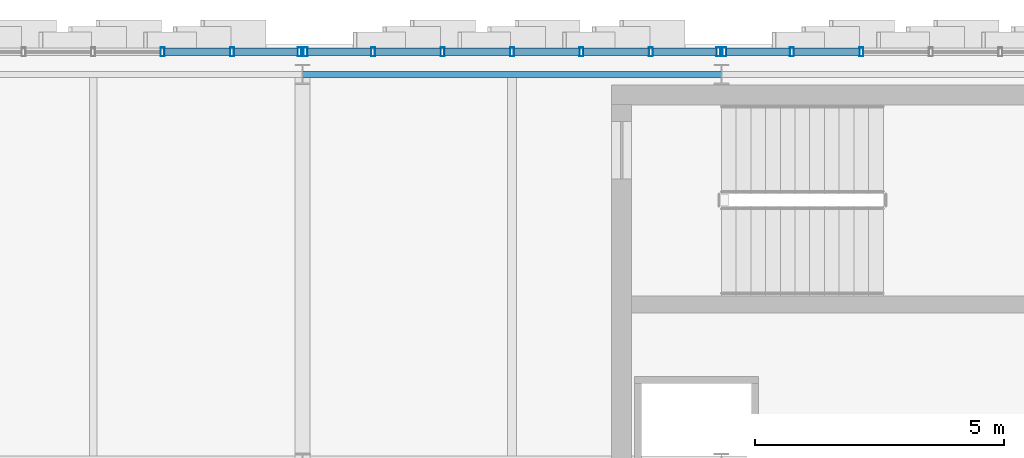
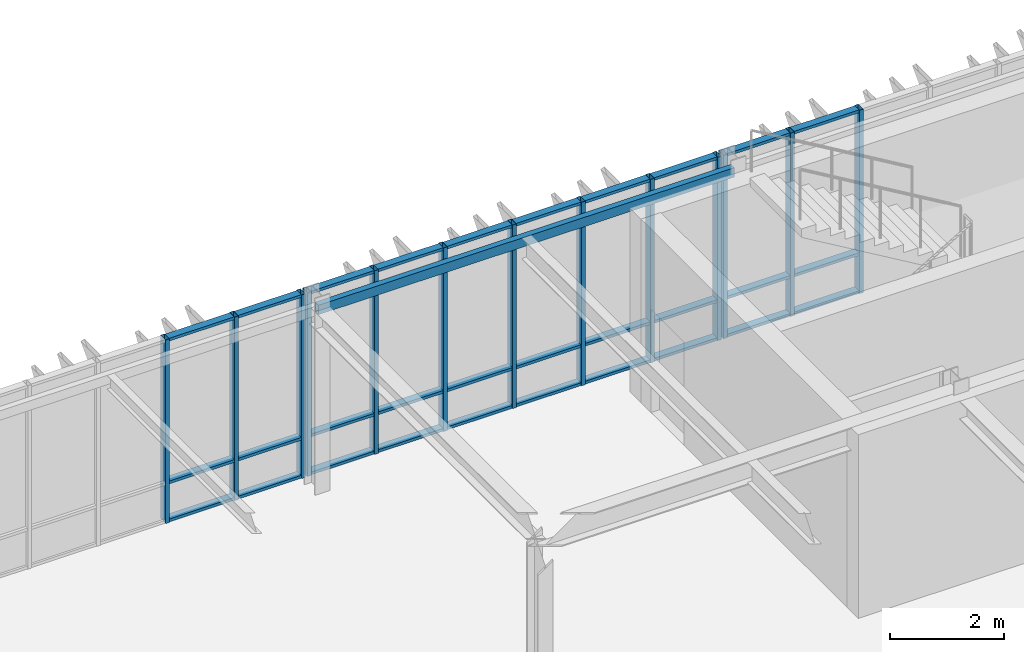
# One storey, part 68 of 127: 43 members, 1 beam, 3 elements without a shape of their own.
"""IFC4 building model written with IfcOpenShell, lengths in metres."""

from ifc_helpers import new_model, si_unit, direction, frame, origin, origin_2d, place, context, subcontext, project, spatial, hollow_rectangle, extrude, material, layer, layer_set, material_profile, profile_set, type_object, element, aggregate, save


model = new_model("IFC4")

# Units and contexts
model_context = context("Model", 3, precision=1e-05, world=origin(), true_north=direction((0.0, 1.0)))
body_context = subcontext(model_context, "Body", "Model", "MODEL_VIEW")
ifc_project = project(units=[si_unit("LENGTHUNIT", "METRE"), si_unit("AREAUNIT", "SQUARE_METRE"), si_unit("VOLUMEUNIT", "CUBIC_METRE"), si_unit("PLANEANGLEUNIT", "RADIAN"), si_unit("MASSUNIT", "GRAM", prefix="KILO")], contexts=[model_context])

# Site, building, storey
site_placement = place(None, origin())
site = spatial("IfcSite", under=ifc_project, at=site_placement, CompositionType="ELEMENT")
building_placement = place(site_placement, origin())
building = spatial("IfcBuilding", under=site, at=building_placement, Name="Zayran Congress Hotel", CompositionType="ELEMENT")
storey_placement = place(building_placement, frame((0.0, 0.0, 10.800048828125)))
storey = spatial("IfcBuildingStorey", under=building, at=storey_placement, Name="L02", CompositionType="ELEMENT", Elevation=10.800048828125)

# Beam
ifc_material_1 = material(Name="Steel S355", Category="steel")
ifc_material_profile_1 = material_profile(ifc_material_1, hollow_rectangle(XDim=0.1201171875, YDim=0.199951171875, WallThickness=0.008056640625, at=origin_2d()), Name="RHS 200x120x8")
ifc_profile_set_1 = profile_set([ifc_material_profile_1], Name="Steel S355")
beam_type = type_object("IfcBeamType", Name="TP-SP-02", PredefinedType="SPANDREL", material=ifc_profile_set_1)
beam_placement = place(storey_placement, frame((75.60009765625, 117.39990234375, 3.820068359375), z_axis=(1.0, 0.0, 0.0), x_axis=(0.0, 1.0, 0.0)))
element("IfcBeam", 1, at=beam_placement, inside=storey, type_object=beam_type, Name="BM-V1-L02-0708", PredefinedType="SPANDREL", context=body_context, shape_type="SweptSolid", body=[
    extrude(hollow_rectangle(XDim=0.1201171875, YDim=0.199951171875, WallThickness=0.008056640625, at=origin_2d()), origin(), (0.0, 0.0, 1.0), 8.39990234375),
])

# Curtain wall, members
ifc_material_2 = material(Name="Anodised aluminium and low-E insulated glass", Category="aluminium")
ifc_layer_1 = layer(ifc_material_2, 0.179931640625)
ifc_layer_set_1 = layer_set([ifc_layer_1], Name="Anodised aluminium and low-E insulated glass")
curtain_wall_type_1 = type_object("IfcCurtainWallType", Name="CW-V1N-L02-CW-22-8360-3920", PredefinedType="USERDEFINED", material=ifc_layer_set_1)
curtain_wall_1_placement = place(storey_placement, origin())
curtain_wall_1 = element("IfcCurtainWall", 2, at=curtain_wall_1_placement, inside=storey, type_object=curtain_wall_type_1, Name="CW-V1N-L02-7", ObjectType="CURTAIN WALL", PredefinedType="USERDEFINED")
ifc_material_3 = material(Name="Anodised aluminium framing", Category="aluminium")
ifc_material_profile_2 = material_profile(ifc_material_3, hollow_rectangle(XDim=0.080078125, YDim=0.179931640625, WallThickness=0.0048828125, at=origin_2d()), Name="RHS 180x80x5")
ifc_profile_set_2 = profile_set([ifc_material_profile_2], Name="Anodised aluminium framing")
member_type_1 = type_object("IfcMemberType", Name="TP-CWM-01", PredefinedType="MULLION", material=ifc_profile_set_2)
member_1_placement = place(storey_placement, frame((75.5400390625, 117.85009765625, 0.0), z_axis=(0.0, 0.0, 1.0), x_axis=(1.0, 0.0, 0.0)))
member_1 = element("IfcMember", 3, at=member_1_placement, type_object=member_type_1, Name="CW-V1N-L02-7-M00", PredefinedType="MULLION", context=body_context, shape_type="SweptSolid", body=[
    extrude(hollow_rectangle(XDim=0.080078125, YDim=0.179931640625, WallThickness=0.0048828125, at=origin_2d()), origin(), (0.0, 0.0, 1.0), 3.919921875),
])
member_2_placement = place(storey_placement, frame((74.186767578125, 117.85009765625, 0.0), z_axis=(0.0, 0.0, 1.0), x_axis=(1.0, 0.0, 0.0)))
member_2 = element("IfcMember", 4, at=member_2_placement, type_object=member_type_1, Name="CW-V1N-L02-7-M01", PredefinedType="MULLION", context=body_context, shape_type="SweptSolid", body=[
    extrude(hollow_rectangle(XDim=0.080078125, YDim=0.179931640625, WallThickness=0.0048828125, at=origin_2d()), origin(), (0.0, 0.0, 1.0), 3.919921875),
])
member_3_placement = place(storey_placement, frame((72.793212890625, 117.85009765625, 0.0), z_axis=(0.0, 0.0, 1.0), x_axis=(1.0, 0.0, 0.0)))
member_3 = element("IfcMember", 5, at=member_3_placement, type_object=member_type_1, Name="CW-V1N-L02-7-M02", PredefinedType="MULLION", context=body_context, shape_type="SweptSolid", body=[
    extrude(hollow_rectangle(XDim=0.080078125, YDim=0.179931640625, WallThickness=0.0048828125, at=origin_2d()), origin(), (0.0, 0.0, 1.0), 3.919921875),
])

ifc_layer_2 = layer(ifc_material_2, 0.179931640625)
ifc_layer_set_2 = layer_set([ifc_layer_2], Name="Anodised aluminium and low-E insulated glass")
curtain_wall_type_2 = type_object("IfcCurtainWallType", Name="CW-V1N-L02-CW-23-8360-3920", PredefinedType="USERDEFINED", material=ifc_layer_set_2)
curtain_wall_2_placement = place(storey_placement, origin())
curtain_wall_2 = element("IfcCurtainWall", 6, at=curtain_wall_2_placement, inside=storey, type_object=curtain_wall_type_2, Name="CW-V1N-L02-8", ObjectType="CURTAIN WALL", PredefinedType="USERDEFINED")
member_4_placement = place(storey_placement, frame((83.93994140625, 117.85009765625, 0.0), z_axis=(0.0, 0.0, 1.0), x_axis=(1.0, 0.0, 0.0)))
member_4 = element("IfcMember", 7, at=member_4_placement, type_object=member_type_1, Name="CW-V1N-L02-8-M00", PredefinedType="MULLION", context=body_context, shape_type="SweptSolid", body=[
    extrude(hollow_rectangle(XDim=0.080078125, YDim=0.179931640625, WallThickness=0.0048828125, at=origin_2d()), origin(), (0.0, 0.0, 1.0), 3.919921875),
])
member_5_placement = place(storey_placement, frame((82.586669921875, 117.85009765625, 0.0), z_axis=(0.0, 0.0, 1.0), x_axis=(1.0, 0.0, 0.0)))
member_5 = element("IfcMember", 8, at=member_5_placement, type_object=member_type_1, Name="CW-V1N-L02-8-M01", PredefinedType="MULLION", context=body_context, shape_type="SweptSolid", body=[
    extrude(hollow_rectangle(XDim=0.080078125, YDim=0.179931640625, WallThickness=0.0048828125, at=origin_2d()), origin(), (0.0, 0.0, 1.0), 3.919921875),
])
member_6_placement = place(storey_placement, frame((81.193359375, 117.85009765625, 0.0), z_axis=(0.0, 0.0, 1.0), x_axis=(1.0, 0.0, 0.0)))
member_6 = element("IfcMember", 9, at=member_6_placement, type_object=member_type_1, Name="CW-V1N-L02-8-M02", PredefinedType="MULLION", context=body_context, shape_type="SweptSolid", body=[
    extrude(hollow_rectangle(XDim=0.080078125, YDim=0.179931640625, WallThickness=0.0048828125, at=origin_2d()), origin(), (0.0, 0.0, 1.0), 3.919921875),
])
member_7_placement = place(storey_placement, frame((79.800048828125, 117.85009765625, 0.0), z_axis=(0.0, 0.0, 1.0), x_axis=(1.0, 0.0, 0.0)))
member_7 = element("IfcMember", 10, at=member_7_placement, type_object=member_type_1, Name="CW-V1N-L02-8-M03", PredefinedType="MULLION", context=body_context, shape_type="SweptSolid", body=[
    extrude(hollow_rectangle(XDim=0.080078125, YDim=0.179931640625, WallThickness=0.0048828125, at=origin_2d()), origin(), (0.0, 0.0, 1.0), 3.919921875),
])
member_8_placement = place(storey_placement, frame((78.40673828125, 117.85009765625, 0.0), z_axis=(0.0, 0.0, 1.0), x_axis=(1.0, 0.0, 0.0)))
member_8 = element("IfcMember", 11, at=member_8_placement, type_object=member_type_1, Name="CW-V1N-L02-8-M04", PredefinedType="MULLION", context=body_context, shape_type="SweptSolid", body=[
    extrude(hollow_rectangle(XDim=0.080078125, YDim=0.179931640625, WallThickness=0.0048828125, at=origin_2d()), origin(), (0.0, 0.0, 1.0), 3.919921875),
])
member_9_placement = place(storey_placement, frame((77.01318359375, 117.85009765625, 0.0), z_axis=(0.0, 0.0, 1.0), x_axis=(1.0, 0.0, 0.0)))
member_9 = element("IfcMember", 12, at=member_9_placement, type_object=member_type_1, Name="CW-V1N-L02-8-M05", PredefinedType="MULLION", context=body_context, shape_type="SweptSolid", body=[
    extrude(hollow_rectangle(XDim=0.080078125, YDim=0.179931640625, WallThickness=0.0048828125, at=origin_2d()), origin(), (0.0, 0.0, 1.0), 3.919921875),
])
member_10_placement = place(storey_placement, frame((75.659912109375, 117.85009765625, 0.0), z_axis=(0.0, 0.0, 1.0), x_axis=(1.0, 0.0, 0.0)))
member_10 = element("IfcMember", 13, at=member_10_placement, type_object=member_type_1, Name="CW-V1N-L02-8-M06", PredefinedType="MULLION", context=body_context, shape_type="SweptSolid", body=[
    extrude(hollow_rectangle(XDim=0.080078125, YDim=0.179931640625, WallThickness=0.0048828125, at=origin_2d()), origin(), (0.0, 0.0, 1.0), 3.919921875),
])

ifc_layer_3 = layer(ifc_material_2, 0.179931640625)
ifc_layer_set_3 = layer_set([ifc_layer_3], Name="Anodised aluminium and low-E insulated glass")
curtain_wall_type_3 = type_object("IfcCurtainWallType", Name="CW-V1N-L02-CW-21-8360-3920", PredefinedType="USERDEFINED", material=ifc_layer_set_3)
curtain_wall_3_placement = place(storey_placement, origin())
curtain_wall_3 = element("IfcCurtainWall", 14, at=curtain_wall_3_placement, inside=storey, type_object=curtain_wall_type_3, Name="CW-V1N-L02-9", ObjectType="CURTAIN WALL", PredefinedType="USERDEFINED")
member_11_placement = place(storey_placement, frame((86.806640625, 117.85009765625, 0.0), z_axis=(0.0, 0.0, 1.0), x_axis=(1.0, 0.0, 0.0)))
member_11 = element("IfcMember", 15, at=member_11_placement, type_object=member_type_1, Name="CW-V1N-L02-9-M04", PredefinedType="MULLION", context=body_context, shape_type="SweptSolid", body=[
    extrude(hollow_rectangle(XDim=0.080078125, YDim=0.179931640625, WallThickness=0.0048828125, at=origin_2d()), origin(), (0.0, 0.0, 1.0), 3.919921875),
])
member_12_placement = place(storey_placement, frame((85.413330078125, 117.85009765625, 0.0), z_axis=(0.0, 0.0, 1.0), x_axis=(1.0, 0.0, 0.0)))
member_12 = element("IfcMember", 16, at=member_12_placement, type_object=member_type_1, Name="CW-V1N-L02-9-M05", PredefinedType="MULLION", context=body_context, shape_type="SweptSolid", body=[
    extrude(hollow_rectangle(XDim=0.080078125, YDim=0.179931640625, WallThickness=0.0048828125, at=origin_2d()), origin(), (0.0, 0.0, 1.0), 3.919921875),
])
member_13_placement = place(storey_placement, frame((84.06005859375, 117.85009765625, 0.0), z_axis=(0.0, 0.0, 1.0), x_axis=(1.0, 0.0, 0.0)))
member_13 = element("IfcMember", 17, at=member_13_placement, type_object=member_type_1, Name="CW-V1N-L02-9-M06", PredefinedType="MULLION", context=body_context, shape_type="SweptSolid", body=[
    extrude(hollow_rectangle(XDim=0.080078125, YDim=0.179931640625, WallThickness=0.0048828125, at=origin_2d()), origin(), (0.0, 0.0, 1.0), 3.919921875),
])

# Member
ifc_material_profile_3 = material_profile(ifc_material_3, hollow_rectangle(XDim=0.06005859375, YDim=0.14990234375, WallThickness=0.00390625, at=origin_2d()), Name="RHS 150x60x4")
ifc_profile_set_3 = profile_set([ifc_material_profile_3], Name="Anodised aluminium framing")
member_type_2 = type_object("IfcMemberType", Name="TP-CWT-01", PredefinedType="USERDEFINED", material=ifc_profile_set_3)
member_14_placement = place(storey_placement, frame((75.5, 117.85009765625, 0.030029296875), z_axis=(-1.0, 0.0, 0.0), x_axis=(0.0, 0.0, 1.0)))
member_14 = element("IfcMember", 18, at=member_14_placement, type_object=member_type_2, Name="CW-V1N-L02-7-T00-0", ObjectType="TRANSOM", PredefinedType="USERDEFINED", context=body_context, shape_type="SweptSolid", body=[
    extrude(hollow_rectangle(XDim=0.06005859375, YDim=0.14990234375, WallThickness=0.00390625, at=origin_2d()), origin(), (0.0, 0.0, 1.0), 1.273193359375),
])

member_15_placement = place(storey_placement, frame((75.5, 117.85009765625, 0.83984375), z_axis=(-1.0, 0.0, 0.0), x_axis=(0.0, 0.0, 1.0)))
member_15 = element("IfcMember", 19, at=member_15_placement, type_object=member_type_2, Name="CW-V1N-L02-7-T00-1", ObjectType="TRANSOM", PredefinedType="USERDEFINED", context=body_context, shape_type="SweptSolid", body=[
    extrude(hollow_rectangle(XDim=0.06005859375, YDim=0.14990234375, WallThickness=0.00390625, at=origin_2d()), origin(), (0.0, 0.0, 1.0), 1.273193359375),
])

member_16_placement = place(storey_placement, frame((75.5, 117.85009765625, 3.889892578125), z_axis=(-1.0, 0.0, 0.0), x_axis=(0.0, 0.0, 1.0)))
member_16 = element("IfcMember", 20, at=member_16_placement, type_object=member_type_2, Name="CW-V1N-L02-7-T00-2", ObjectType="TRANSOM", PredefinedType="USERDEFINED", context=body_context, shape_type="SweptSolid", body=[
    extrude(hollow_rectangle(XDim=0.06005859375, YDim=0.14990234375, WallThickness=0.00390625, at=origin_2d()), origin(), (0.0, 0.0, 1.0), 1.273193359375),
])

member_17_placement = place(storey_placement, frame((74.146728515625, 117.85009765625, 0.030029296875), z_axis=(-1.0, 0.0, 0.0), x_axis=(0.0, 0.0, 1.0)))
member_17 = element("IfcMember", 21, at=member_17_placement, type_object=member_type_2, Name="CW-V1N-L02-7-T01-0", ObjectType="TRANSOM", PredefinedType="USERDEFINED", context=body_context, shape_type="SweptSolid", body=[
    extrude(hollow_rectangle(XDim=0.06005859375, YDim=0.14990234375, WallThickness=0.00390625, at=origin_2d()), origin(), (0.0, 0.0, 1.0), 1.3134765625),
])

member_18_placement = place(storey_placement, frame((74.146728515625, 117.85009765625, 0.83984375), z_axis=(-1.0, 0.0, 0.0), x_axis=(0.0, 0.0, 1.0)))
member_18 = element("IfcMember", 22, at=member_18_placement, type_object=member_type_2, Name="CW-V1N-L02-7-T01-1", ObjectType="TRANSOM", PredefinedType="USERDEFINED", context=body_context, shape_type="SweptSolid", body=[
    extrude(hollow_rectangle(XDim=0.06005859375, YDim=0.14990234375, WallThickness=0.00390625, at=origin_2d()), origin(), (0.0, 0.0, 1.0), 1.3134765625),
])

member_19_placement = place(storey_placement, frame((74.146728515625, 117.85009765625, 3.889892578125), z_axis=(-1.0, 0.0, 0.0), x_axis=(0.0, 0.0, 1.0)))
member_19 = element("IfcMember", 23, at=member_19_placement, type_object=member_type_2, Name="CW-V1N-L02-7-T01-2", ObjectType="TRANSOM", PredefinedType="USERDEFINED", context=body_context, shape_type="SweptSolid", body=[
    extrude(hollow_rectangle(XDim=0.06005859375, YDim=0.14990234375, WallThickness=0.00390625, at=origin_2d()), origin(), (0.0, 0.0, 1.0), 1.3134765625),
])

aggregate(curtain_wall_1, [member_1, member_2, member_3, member_14, member_15, member_16, member_17, member_18, member_19])

member_20_placement = place(storey_placement, frame((83.89990234375, 117.85009765625, 0.030029296875), z_axis=(-1.0, 0.0, 0.0), x_axis=(0.0, 0.0, 1.0)))
member_20 = element("IfcMember", 24, at=member_20_placement, type_object=member_type_2, Name="CW-V1N-L02-8-T00-0", ObjectType="TRANSOM", PredefinedType="USERDEFINED", context=body_context, shape_type="SweptSolid", body=[
    extrude(hollow_rectangle(XDim=0.06005859375, YDim=0.14990234375, WallThickness=0.00390625, at=origin_2d()), origin(), (0.0, 0.0, 1.0), 1.273193359375),
])

member_21_placement = place(storey_placement, frame((83.89990234375, 117.85009765625, 0.83984375), z_axis=(-1.0, 0.0, 0.0), x_axis=(0.0, 0.0, 1.0)))
member_21 = element("IfcMember", 25, at=member_21_placement, type_object=member_type_2, Name="CW-V1N-L02-8-T00-1", ObjectType="TRANSOM", PredefinedType="USERDEFINED", context=body_context, shape_type="SweptSolid", body=[
    extrude(hollow_rectangle(XDim=0.06005859375, YDim=0.14990234375, WallThickness=0.00390625, at=origin_2d()), origin(), (0.0, 0.0, 1.0), 1.273193359375),
])

member_22_placement = place(storey_placement, frame((83.89990234375, 117.85009765625, 3.889892578125), z_axis=(-1.0, 0.0, 0.0), x_axis=(0.0, 0.0, 1.0)))
member_22 = element("IfcMember", 26, at=member_22_placement, type_object=member_type_2, Name="CW-V1N-L02-8-T00-2", ObjectType="TRANSOM", PredefinedType="USERDEFINED", context=body_context, shape_type="SweptSolid", body=[
    extrude(hollow_rectangle(XDim=0.06005859375, YDim=0.14990234375, WallThickness=0.00390625, at=origin_2d()), origin(), (0.0, 0.0, 1.0), 1.273193359375),
])

member_23_placement = place(storey_placement, frame((82.546630859375, 117.85009765625, 0.030029296875), z_axis=(-1.0, 0.0, 0.0), x_axis=(0.0, 0.0, 1.0)))
member_23 = element("IfcMember", 27, at=member_23_placement, type_object=member_type_2, Name="CW-V1N-L02-8-T01-0", ObjectType="TRANSOM", PredefinedType="USERDEFINED", context=body_context, shape_type="SweptSolid", body=[
    extrude(hollow_rectangle(XDim=0.06005859375, YDim=0.14990234375, WallThickness=0.00390625, at=origin_2d()), origin(), (0.0, 0.0, 1.0), 1.313232421875),
])

member_24_placement = place(storey_placement, frame((82.546630859375, 117.85009765625, 0.83984375), z_axis=(-1.0, 0.0, 0.0), x_axis=(0.0, 0.0, 1.0)))
member_24 = element("IfcMember", 28, at=member_24_placement, type_object=member_type_2, Name="CW-V1N-L02-8-T01-1", ObjectType="TRANSOM", PredefinedType="USERDEFINED", context=body_context, shape_type="SweptSolid", body=[
    extrude(hollow_rectangle(XDim=0.06005859375, YDim=0.14990234375, WallThickness=0.00390625, at=origin_2d()), origin(), (0.0, 0.0, 1.0), 1.313232421875),
])

member_25_placement = place(storey_placement, frame((82.546630859375, 117.85009765625, 3.889892578125), z_axis=(-1.0, 0.0, 0.0), x_axis=(0.0, 0.0, 1.0)))
member_25 = element("IfcMember", 29, at=member_25_placement, type_object=member_type_2, Name="CW-V1N-L02-8-T01-2", ObjectType="TRANSOM", PredefinedType="USERDEFINED", context=body_context, shape_type="SweptSolid", body=[
    extrude(hollow_rectangle(XDim=0.06005859375, YDim=0.14990234375, WallThickness=0.00390625, at=origin_2d()), origin(), (0.0, 0.0, 1.0), 1.313232421875),
])

member_26_placement = place(storey_placement, frame((81.1533203125, 117.85009765625, 0.030029296875), z_axis=(-1.0, 0.0, 0.0), x_axis=(0.0, 0.0, 1.0)))
member_26 = element("IfcMember", 30, at=member_26_placement, type_object=member_type_2, Name="CW-V1N-L02-8-T02-0", ObjectType="TRANSOM", PredefinedType="USERDEFINED", context=body_context, shape_type="SweptSolid", body=[
    extrude(hollow_rectangle(XDim=0.06005859375, YDim=0.14990234375, WallThickness=0.00390625, at=origin_2d()), origin(), (0.0, 0.0, 1.0), 1.313232421875),
])

member_27_placement = place(storey_placement, frame((81.1533203125, 117.85009765625, 0.83984375), z_axis=(-1.0, 0.0, 0.0), x_axis=(0.0, 0.0, 1.0)))
member_27 = element("IfcMember", 31, at=member_27_placement, type_object=member_type_2, Name="CW-V1N-L02-8-T02-1", ObjectType="TRANSOM", PredefinedType="USERDEFINED", context=body_context, shape_type="SweptSolid", body=[
    extrude(hollow_rectangle(XDim=0.06005859375, YDim=0.14990234375, WallThickness=0.00390625, at=origin_2d()), origin(), (0.0, 0.0, 1.0), 1.313232421875),
])

member_28_placement = place(storey_placement, frame((81.1533203125, 117.85009765625, 3.889892578125), z_axis=(-1.0, 0.0, 0.0), x_axis=(0.0, 0.0, 1.0)))
member_28 = element("IfcMember", 32, at=member_28_placement, type_object=member_type_2, Name="CW-V1N-L02-8-T02-2", ObjectType="TRANSOM", PredefinedType="USERDEFINED", context=body_context, shape_type="SweptSolid", body=[
    extrude(hollow_rectangle(XDim=0.06005859375, YDim=0.14990234375, WallThickness=0.00390625, at=origin_2d()), origin(), (0.0, 0.0, 1.0), 1.313232421875),
])

member_29_placement = place(storey_placement, frame((79.760009765625, 117.85009765625, 0.030029296875), z_axis=(-1.0, 0.0, 0.0), x_axis=(0.0, 0.0, 1.0)))
member_29 = element("IfcMember", 33, at=member_29_placement, type_object=member_type_2, Name="CW-V1N-L02-8-T03-0", ObjectType="TRANSOM", PredefinedType="USERDEFINED", context=body_context, shape_type="SweptSolid", body=[
    extrude(hollow_rectangle(XDim=0.06005859375, YDim=0.14990234375, WallThickness=0.00390625, at=origin_2d()), origin(), (0.0, 0.0, 1.0), 1.313232421875),
])

member_30_placement = place(storey_placement, frame((79.760009765625, 117.85009765625, 0.83984375), z_axis=(-1.0, 0.0, 0.0), x_axis=(0.0, 0.0, 1.0)))
member_30 = element("IfcMember", 34, at=member_30_placement, type_object=member_type_2, Name="CW-V1N-L02-8-T03-1", ObjectType="TRANSOM", PredefinedType="USERDEFINED", context=body_context, shape_type="SweptSolid", body=[
    extrude(hollow_rectangle(XDim=0.06005859375, YDim=0.14990234375, WallThickness=0.00390625, at=origin_2d()), origin(), (0.0, 0.0, 1.0), 1.313232421875),
])

member_31_placement = place(storey_placement, frame((79.760009765625, 117.85009765625, 3.889892578125), z_axis=(-1.0, 0.0, 0.0), x_axis=(0.0, 0.0, 1.0)))
member_31 = element("IfcMember", 35, at=member_31_placement, type_object=member_type_2, Name="CW-V1N-L02-8-T03-2", ObjectType="TRANSOM", PredefinedType="USERDEFINED", context=body_context, shape_type="SweptSolid", body=[
    extrude(hollow_rectangle(XDim=0.06005859375, YDim=0.14990234375, WallThickness=0.00390625, at=origin_2d()), origin(), (0.0, 0.0, 1.0), 1.313232421875),
])

member_32_placement = place(storey_placement, frame((78.36669921875, 117.85009765625, 0.030029296875), z_axis=(-1.0, 0.0, 0.0), x_axis=(0.0, 0.0, 1.0)))
member_32 = element("IfcMember", 36, at=member_32_placement, type_object=member_type_2, Name="CW-V1N-L02-8-T04-0", ObjectType="TRANSOM", PredefinedType="USERDEFINED", context=body_context, shape_type="SweptSolid", body=[
    extrude(hollow_rectangle(XDim=0.06005859375, YDim=0.14990234375, WallThickness=0.00390625, at=origin_2d()), origin(), (0.0, 0.0, 1.0), 1.3134765625),
])

member_33_placement = place(storey_placement, frame((78.36669921875, 117.85009765625, 0.83984375), z_axis=(-1.0, 0.0, 0.0), x_axis=(0.0, 0.0, 1.0)))
member_33 = element("IfcMember", 37, at=member_33_placement, type_object=member_type_2, Name="CW-V1N-L02-8-T04-1", ObjectType="TRANSOM", PredefinedType="USERDEFINED", context=body_context, shape_type="SweptSolid", body=[
    extrude(hollow_rectangle(XDim=0.06005859375, YDim=0.14990234375, WallThickness=0.00390625, at=origin_2d()), origin(), (0.0, 0.0, 1.0), 1.3134765625),
])

member_34_placement = place(storey_placement, frame((78.36669921875, 117.85009765625, 3.889892578125), z_axis=(-1.0, 0.0, 0.0), x_axis=(0.0, 0.0, 1.0)))
member_34 = element("IfcMember", 38, at=member_34_placement, type_object=member_type_2, Name="CW-V1N-L02-8-T04-2", ObjectType="TRANSOM", PredefinedType="USERDEFINED", context=body_context, shape_type="SweptSolid", body=[
    extrude(hollow_rectangle(XDim=0.06005859375, YDim=0.14990234375, WallThickness=0.00390625, at=origin_2d()), origin(), (0.0, 0.0, 1.0), 1.3134765625),
])

member_35_placement = place(storey_placement, frame((76.973388671875, 117.85009765625, 0.030029296875), z_axis=(-1.0, 0.0, 0.0), x_axis=(0.0, 0.0, 1.0)))
member_35 = element("IfcMember", 39, at=member_35_placement, type_object=member_type_2, Name="CW-V1N-L02-8-T05-0", ObjectType="TRANSOM", PredefinedType="USERDEFINED", context=body_context, shape_type="SweptSolid", body=[
    extrude(hollow_rectangle(XDim=0.06005859375, YDim=0.14990234375, WallThickness=0.00390625, at=origin_2d()), origin(), (0.0, 0.0, 1.0), 1.2734375),
])

member_36_placement = place(storey_placement, frame((76.973388671875, 117.85009765625, 0.83984375), z_axis=(-1.0, 0.0, 0.0), x_axis=(0.0, 0.0, 1.0)))
member_36 = element("IfcMember", 40, at=member_36_placement, type_object=member_type_2, Name="CW-V1N-L02-8-T05-1", ObjectType="TRANSOM", PredefinedType="USERDEFINED", context=body_context, shape_type="SweptSolid", body=[
    extrude(hollow_rectangle(XDim=0.06005859375, YDim=0.14990234375, WallThickness=0.00390625, at=origin_2d()), origin(), (0.0, 0.0, 1.0), 1.2734375),
])

member_37_placement = place(storey_placement, frame((76.973388671875, 117.85009765625, 3.889892578125), z_axis=(-1.0, 0.0, 0.0), x_axis=(0.0, 0.0, 1.0)))
member_37 = element("IfcMember", 41, at=member_37_placement, type_object=member_type_2, Name="CW-V1N-L02-8-T05-2", ObjectType="TRANSOM", PredefinedType="USERDEFINED", context=body_context, shape_type="SweptSolid", body=[
    extrude(hollow_rectangle(XDim=0.06005859375, YDim=0.14990234375, WallThickness=0.00390625, at=origin_2d()), origin(), (0.0, 0.0, 1.0), 1.2734375),
])

aggregate(curtain_wall_2, [member_4, member_5, member_6, member_7, member_8, member_9, member_10, member_20, member_21, member_22, member_23, member_24, member_25, member_26, member_27, member_28, member_29, member_30, member_31, member_32, member_33, member_34, member_35, member_36, member_37])

member_38_placement = place(storey_placement, frame((86.7666015625, 117.85009765625, 0.030029296875), z_axis=(-1.0, 0.0, 0.0), x_axis=(0.0, 0.0, 1.0)))
member_38 = element("IfcMember", 42, at=member_38_placement, type_object=member_type_2, Name="CW-V1N-L02-9-T04-0", ObjectType="TRANSOM", PredefinedType="USERDEFINED", context=body_context, shape_type="SweptSolid", body=[
    extrude(hollow_rectangle(XDim=0.06005859375, YDim=0.14990234375, WallThickness=0.00390625, at=origin_2d()), origin(), (0.0, 0.0, 1.0), 1.313232421875),
])

member_39_placement = place(storey_placement, frame((86.7666015625, 117.85009765625, 0.83984375), z_axis=(-1.0, 0.0, 0.0), x_axis=(0.0, 0.0, 1.0)))
member_39 = element("IfcMember", 43, at=member_39_placement, type_object=member_type_2, Name="CW-V1N-L02-9-T04-1", ObjectType="TRANSOM", PredefinedType="USERDEFINED", context=body_context, shape_type="SweptSolid", body=[
    extrude(hollow_rectangle(XDim=0.06005859375, YDim=0.14990234375, WallThickness=0.00390625, at=origin_2d()), origin(), (0.0, 0.0, 1.0), 1.313232421875),
])

member_40_placement = place(storey_placement, frame((86.7666015625, 117.85009765625, 3.889892578125), z_axis=(-1.0, 0.0, 0.0), x_axis=(0.0, 0.0, 1.0)))
member_40 = element("IfcMember", 44, at=member_40_placement, type_object=member_type_2, Name="CW-V1N-L02-9-T04-2", ObjectType="TRANSOM", PredefinedType="USERDEFINED", context=body_context, shape_type="SweptSolid", body=[
    extrude(hollow_rectangle(XDim=0.06005859375, YDim=0.14990234375, WallThickness=0.00390625, at=origin_2d()), origin(), (0.0, 0.0, 1.0), 1.313232421875),
])

member_41_placement = place(storey_placement, frame((85.373291015625, 117.85009765625, 0.030029296875), z_axis=(-1.0, 0.0, 0.0), x_axis=(0.0, 0.0, 1.0)))
member_41 = element("IfcMember", 45, at=member_41_placement, type_object=member_type_2, Name="CW-V1N-L02-9-T05-0", ObjectType="TRANSOM", PredefinedType="USERDEFINED", context=body_context, shape_type="SweptSolid", body=[
    extrude(hollow_rectangle(XDim=0.06005859375, YDim=0.14990234375, WallThickness=0.00390625, at=origin_2d()), origin(), (0.0, 0.0, 1.0), 1.273193359375),
])

member_42_placement = place(storey_placement, frame((85.373291015625, 117.85009765625, 0.83984375), z_axis=(-1.0, 0.0, 0.0), x_axis=(0.0, 0.0, 1.0)))
member_42 = element("IfcMember", 46, at=member_42_placement, type_object=member_type_2, Name="CW-V1N-L02-9-T05-1", ObjectType="TRANSOM", PredefinedType="USERDEFINED", context=body_context, shape_type="SweptSolid", body=[
    extrude(hollow_rectangle(XDim=0.06005859375, YDim=0.14990234375, WallThickness=0.00390625, at=origin_2d()), origin(), (0.0, 0.0, 1.0), 1.273193359375),
])

member_43_placement = place(storey_placement, frame((85.373291015625, 117.85009765625, 3.889892578125), z_axis=(-1.0, 0.0, 0.0), x_axis=(0.0, 0.0, 1.0)))
member_43 = element("IfcMember", 47, at=member_43_placement, type_object=member_type_2, Name="CW-V1N-L02-9-T05-2", ObjectType="TRANSOM", PredefinedType="USERDEFINED", context=body_context, shape_type="SweptSolid", body=[
    extrude(hollow_rectangle(XDim=0.06005859375, YDim=0.14990234375, WallThickness=0.00390625, at=origin_2d()), origin(), (0.0, 0.0, 1.0), 1.273193359375),
])

aggregate(curtain_wall_3, [member_11, member_12, member_13, member_38, member_39, member_40, member_41, member_42, member_43])

save(model, "model.ifc")
